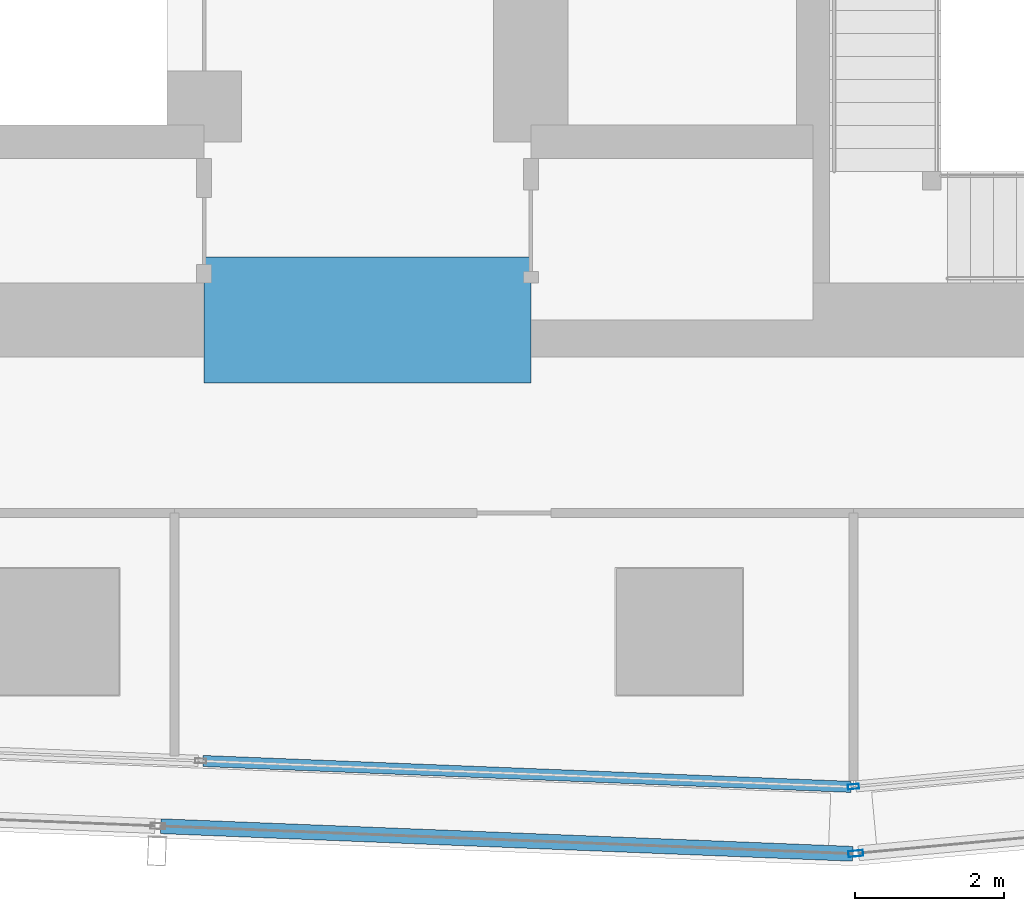
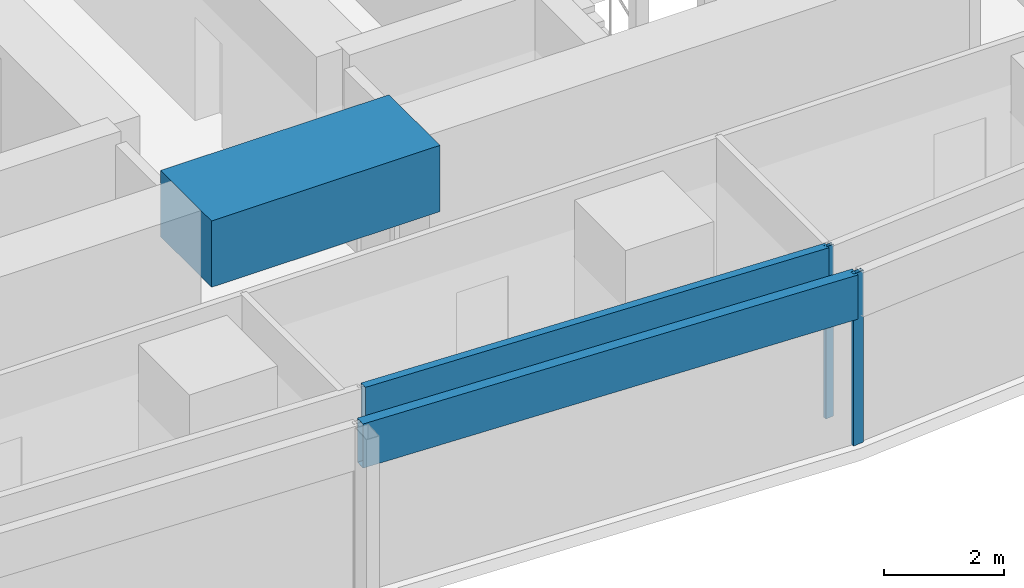
# One storey, part 10 of 34: 4 members, 1 beam, 4 elements without a shape of their own.
"""IFC4 building model written with IfcOpenShell, lengths in metres."""

import ifcopenshell
import ifcopenshell.guid

model = None  # the IFC model being written
_history = None  # IfcOwnerHistory: only IFC2X3 demands one
_inside = {}  # id of a spatial element -> (the spatial element, [elements in it])
_under = {}  # id of a project, library or spatial element -> (it, [spatial elements below it])
_declared = {}  # id of a project -> (the project, [libraries it declares])
_typed = {}  # id of a type object -> (the type object, [elements of that type])
_made_of = {}  # id of a material, layer set ... -> (it, [elements and type objects made of it])


def new_model(schema):
    """Start an empty IFC model of exactly this schema.

    Asked for "IFC4X3", IfcOpenShell would pick the latest addendum, in which some entities
    have other attributes; the version numbers below select the first issue.
    IFC2X3 requires an IfcOwnerHistory on every rooted entity: one is made here for all.
    """
    global model, _history
    if schema == "IFC4X3":
        model = ifcopenshell.file(schema_version=(4, 3, 0, 0))
    else:
        model = ifcopenshell.file(schema=schema)
    _inside.clear()
    _under.clear()
    _declared.clear()
    _typed.clear()
    _made_of.clear()
    _history = None
    if model.schema == "IFC2X3":
        org = make("IfcOrganization", Name="unknown")
        user = make(
            "IfcPersonAndOrganization",
            ThePerson=make("IfcPerson", FamilyName="unknown"),
            TheOrganization=org,
        )
        app = make(
            "IfcApplication",
            ApplicationDeveloper=org,
            Version="unknown",
            ApplicationFullName="unknown",
            ApplicationIdentifier="unknown",
        )
        _history = make(
            "IfcOwnerHistory",
            OwningUser=user,
            OwningApplication=app,
            ChangeAction="ADDED",
            CreationDate=0,
        )
    return model


def make(cls, **values):
    """One entity of the class cls with the attributes given. An attribute that is None is left unset."""
    return model.create_entity(
        cls, **{name: value for name, value in values.items() if value is not None}
    )


def rooted(cls, **values):
    """An entity with a GlobalId (a new one), such as an element, a storey or a relation."""
    return make(cls, GlobalId=ifcopenshell.guid.new(), OwnerHistory=_history, **values)


def si_unit(unit_type, name, prefix=None):
    """IfcSIUnit, for example si_unit("LENGTHUNIT", "METRE", prefix="MILLI")."""
    return make("IfcSIUnit", UnitType=unit_type, Prefix=prefix, Name=name)


def assignment(units):
    """IfcUnitAssignment: the units of a project."""
    return None if units is None else make("IfcUnitAssignment", Units=units)


def point(xyz):
    """IfcCartesianPoint."""
    return None if xyz is None else make("IfcCartesianPoint", Coordinates=xyz)


def direction(xyz):
    """IfcDirection."""
    return None if xyz is None else make("IfcDirection", DirectionRatios=xyz)


def frame(location, z_axis=None, x_axis=None):
    """IfcAxis2Placement3D, a coordinate frame: its origin and axes. An axis left out is left unset."""
    return make(
        "IfcAxis2Placement3D",
        Location=point(location),
        Axis=direction(z_axis),
        RefDirection=direction(x_axis),
    )


def frame_2d(location, x_axis=None):
    """IfcAxis2Placement2D, a coordinate frame in the plane: its origin and x axis."""
    return make(
        "IfcAxis2Placement2D", Location=point(location), RefDirection=direction(x_axis)
    )


def origin():
    """The frame at (0, 0, 0) with its axes left unset."""
    return frame((0.0, 0.0, 0.0))


def origin_2d():
    """The frame at (0, 0) in the plane with its x axis left unset."""
    return frame_2d((0.0, 0.0))


def place(relative_to, where):
    """IfcLocalPlacement: puts the frame where relative to a parent placement (None: the world)."""
    return make(
        "IfcLocalPlacement", PlacementRelTo=relative_to, RelativePlacement=where
    )


def context(
    kind, dimensions, precision=None, world=None, true_north=None, identifier=None
):
    """IfcGeometricRepresentationContext, for example the 3D "Model" context."""
    return make(
        "IfcGeometricRepresentationContext",
        ContextIdentifier=identifier,
        ContextType=kind,
        CoordinateSpaceDimension=dimensions,
        Precision=precision,
        WorldCoordinateSystem=world,
        TrueNorth=true_north,
    )


def subcontext(parent, identifier, kind, view, scale=None):
    """IfcGeometricRepresentationSubContext, for example "Body" below "Model"."""
    return make(
        "IfcGeometricRepresentationSubContext",
        ContextIdentifier=identifier,
        ContextType=kind,
        ParentContext=parent,
        TargetScale=scale,
        TargetView=view,
    )


def project(units=None, contexts=None):
    """IfcProject with its units and contexts."""
    return rooted(
        "IfcProject",
        Name="project",
        RepresentationContexts=contexts,
        UnitsInContext=assignment(units),
    )


def spatial(cls, under=None, at=None, **own):
    """A site, building, storey or space (cls), placed at a placement, below another one or the project."""
    s = rooted(cls, ObjectPlacement=at, **own)
    if under is not None:
        _under.setdefault(under.id(), (under, []))[1].append(s)
    return s


def profile(cls, at=None, kind="AREA", **sizes):
    """A parametric profile (cls). Its sizes go by their IFC names, for example OverallWidth=200.0."""
    return make(cls, ProfileType=kind, Position=at, **sizes)


def rectangle(**sizes):
    """IfcRectangleProfileDef."""
    return profile("IfcRectangleProfileDef", **sizes)


def hollow_rectangle(**sizes):
    """IfcRectangleHollowProfileDef."""
    return profile("IfcRectangleHollowProfileDef", **sizes)


def extrude(swept, where, along, depth):
    """IfcExtrudedAreaSolid: the profile swept, set in the frame where, extruded along a direction by depth."""
    return make(
        "IfcExtrudedAreaSolid",
        SweptArea=swept,
        Position=where,
        ExtrudedDirection=direction(along),
        Depth=depth,
    )


def shape(context_of_items, identifier, shape_type, items):
    """IfcShapeRepresentation: the items that make up one representation, for example the "Body"."""
    return make(
        "IfcShapeRepresentation",
        ContextOfItems=context_of_items,
        RepresentationIdentifier=identifier,
        RepresentationType=shape_type,
        Items=items,
    )


def material(Name=None, Category=None):
    """IfcMaterial."""
    return make("IfcMaterial", Name=Name, Category=Category)


def material_profile(
    of_material, cross_section, Name=None, Category=None, Priority=None
):
    """IfcMaterialProfile: a cross section and its material."""
    return make(
        "IfcMaterialProfile",
        Name=Name,
        Material=of_material,
        Profile=cross_section,
        Priority=Priority,
        Category=Category,
    )


def profile_set(profiles, Name=None, composite=None):
    """IfcMaterialProfileSet."""
    return make(
        "IfcMaterialProfileSet",
        Name=Name,
        MaterialProfiles=profiles,
        CompositeProfile=composite,
    )


def made_of(thing, what):
    """Note that an element or type object is made of a material, layer set ...; save() writes the relation."""
    if what is not None:
        _made_of.setdefault(what.id(), (what, []))[1].append(thing)
    return thing


def type_object(cls, material=None, **own):
    """A type object (cls), such as IfcWallType, which elements share."""
    return made_of(rooted(cls, **own), material)


def element(
    cls,
    number,
    at=None,
    inside=None,
    cuts=None,
    type_object=None,
    material=None,
    context=None,
    identifier="Body",
    shape_type=None,
    held_by="IfcProductDefinitionShape",
    body=None,
    shapes=None,
    **own,
):
    """One element of the class cls, such as IfcWall. Its Tag is "e" and its number.

    at: its placement. inside: the storey or other place that contains it. cuts: it is an
    opening in that element (IfcRelVoidsElement). A single representation is given by context,
    identifier, shape_type and body (its items); several are given by shapes. held_by: the class
    of the entity that holds the representations. save() writes the other relations.
    """
    e = rooted(cls, Tag="e%d" % number, ObjectPlacement=at, **own)
    if body is not None:
        shapes = [shape(context, identifier, shape_type, body)]
    if shapes is not None:
        e.Representation = make(held_by, Representations=shapes)
    if inside is not None:
        _inside.setdefault(inside.id(), (inside, []))[1].append(e)
    if cuts is not None:
        rooted(
            "IfcRelVoidsElement", RelatingBuildingElement=cuts, RelatedOpeningElement=e
        )
    if type_object is not None:
        _typed.setdefault(type_object.id(), (type_object, []))[1].append(e)
    return made_of(e, material)


def aggregate(whole, parts):
    """IfcRelAggregates: a whole, such as a stair, and the parts it consists of."""
    return rooted("IfcRelAggregates", RelatingObject=whole, RelatedObjects=parts)


def save(model, path):
    """Write the relations noted so far, then the file.

    IfcRelAggregates (storeys below a building ...), IfcRelContainedInSpatialStructure (elements
    in a storey), IfcRelDefinesByType, IfcRelAssociatesMaterial and IfcRelDeclares: one each for
    every whole, place, type object, material and project.
    """
    for whole, parts in _under.values():
        aggregate(whole, parts)
    for where, things in _inside.values():
        rooted(
            "IfcRelContainedInSpatialStructure",
            RelatedElements=things,
            RelatingStructure=where,
        )
    for kind, things in _typed.values():
        rooted("IfcRelDefinesByType", RelatedObjects=things, RelatingType=kind)
    for what, things in _made_of.values():
        rooted("IfcRelAssociatesMaterial", RelatedObjects=things, RelatingMaterial=what)
    for by, libraries in _declared.values():
        rooted("IfcRelDeclares", RelatingContext=by, RelatedDefinitions=libraries)
    model.write(path)


model = new_model("IFC4")

# Units and contexts
model_context = context("Model", 3, precision=1e-05, world=origin(), true_north=direction((0.0, 1.0)))
body_context = subcontext(model_context, "Body", "Model", "MODEL_VIEW")
ifc_project = project(units=[si_unit("LENGTHUNIT", "METRE"), si_unit("AREAUNIT", "SQUARE_METRE"), si_unit("VOLUMEUNIT", "CUBIC_METRE"), si_unit("PLANEANGLEUNIT", "RADIAN"), si_unit("MASSUNIT", "GRAM", prefix="KILO")], contexts=[model_context])

# Site, building, storey
site_placement = place(None, origin())
site = spatial("IfcSite", under=ifc_project, at=site_placement, CompositionType="ELEMENT")
building_placement = place(site_placement, origin())
building = spatial("IfcBuilding", under=site, at=building_placement, Name="Rekha Terrace Tower", CompositionType="ELEMENT")
storey_placement = place(building_placement, frame((0.0, 0.0, 176.449951171875)))
storey = spatial("IfcBuildingStorey", under=building, at=storey_placement, Name="L44", CompositionType="ELEMENT", Elevation=176.449951171875)

# Curtain wall, member
ifc_material_1 = material(Name="Aluminium framing", Category="aluminium")
curtain_wall_type_1 = type_object("IfcCurtainWallType", Name="CW1 double skin inner glazing", PredefinedType="USERDEFINED", material=ifc_material_1)
curtain_wall_1_placement = place(storey_placement, origin())
curtain_wall_1 = element("IfcCurtainWall", 1, at=curtain_wall_1_placement, inside=storey, type_object=curtain_wall_type_1, Name="CW1 double skin inner glazing", ObjectType="DOUBLE SKIN INNER GLAZING", PredefinedType="USERDEFINED")
ifc_material_2 = material(Name="Aluminium mullion section", Category="aluminium")
ifc_material_profile_1 = material_profile(ifc_material_2, hollow_rectangle(XDim=0.06494140625, YDim=0.14990234375, WallThickness=0.00390625, at=origin_2d()), Name="AL RHS 65x150")
ifc_profile_set_1 = profile_set([ifc_material_profile_1], Name="Aluminium mullion section")
member_type_1 = type_object("IfcMemberType", Name="CW1 mullion RHS 65 x 150", PredefinedType="MULLION", material=ifc_profile_set_1)
member_1_placement = place(storey_placement, frame((44.34423828125, 14.715087890625, 0.0), z_axis=(0.0, 0.0, 1.0), x_axis=(-0.092708869616, 0.995693258737, 0.0)))
member_1 = element("IfcMember", 2, at=member_1_placement, type_object=member_type_1, Name="CW1 mullion 1", PredefinedType="MULLION", context=body_context, shape_type="SweptSolid", body=[
    extrude(hollow_rectangle(XDim=0.06494140625, YDim=0.14990234375, WallThickness=0.00390625, at=origin_2d()), origin(), (0.0, 0.0, 1.0), 3.5),
])
aggregate(curtain_wall_1, [member_1])

curtain_wall_2_placement = place(storey_placement, origin())
curtain_wall_2 = element("IfcCurtainWall", 3, at=curtain_wall_2_placement, inside=storey, type_object=curtain_wall_type_1, Name="CW1 double skin inner glazing", ObjectType="DOUBLE SKIN INNER GLAZING", PredefinedType="USERDEFINED")
ifc_material_3 = material(Name="Insulated aluminium spandrel box", Category="aluminium")
ifc_material_profile_2 = material_profile(ifc_material_3, hollow_rectangle(XDim=0.14990234375, YDim=0.89990234375, WallThickness=0.0029296875, at=origin_2d()), Name="AL SPANDREL BOX 150x900")
ifc_profile_set_2 = profile_set([ifc_material_profile_2], Name="Insulated aluminium spandrel box")
member_type_2 = type_object("IfcMemberType", Name="CW1 spandrel transom 150 x 900", PredefinedType="USERDEFINED", material=ifc_profile_set_2)
member_2_placement = place(storey_placement, frame((35.584716796875, 15.060302734375, 3.050048828125), z_axis=(0.999204125954, -0.039888778821, 0.0), x_axis=(0.039888778821, 0.999204125954, 0.0)))
member_2 = element("IfcMember", 4, at=member_2_placement, type_object=member_type_2, Name="CW1 spandrel transom 4", ObjectType="TRANSOM", PredefinedType="USERDEFINED", context=body_context, shape_type="SweptSolid", body=[
    extrude(hollow_rectangle(XDim=0.14990234375, YDim=0.89990234375, WallThickness=0.0029296875, at=origin_2d()), origin(), (0.0, 0.0, 1.0), 8.73388671875),
])
aggregate(curtain_wall_2, [member_2])

curtain_wall_type_2 = type_object("IfcCurtainWallType", Name="CW2 double skin outer glazing", PredefinedType="USERDEFINED", material=ifc_material_1)
curtain_wall_3_placement = place(storey_placement, origin())
curtain_wall_3 = element("IfcCurtainWall", 5, at=curtain_wall_3_placement, inside=storey, type_object=curtain_wall_type_2, Name="CW2 double skin outer glazing", ObjectType="DOUBLE SKIN OUTER GLAZING", PredefinedType="USERDEFINED")
ifc_material_profile_3 = material_profile(ifc_material_2, hollow_rectangle(XDim=0.080078125, YDim=0.199951171875, WallThickness=0.00390625, at=origin_2d()), Name="AL RHS 80x200")
ifc_profile_set_3 = profile_set([ifc_material_profile_3], Name="Aluminium mullion section")
member_type_3 = type_object("IfcMemberType", Name="CW2 mullion RHS 80 x 200", PredefinedType="MULLION", material=ifc_profile_set_3)
member_3_placement = place(storey_placement, frame((44.37548828125, 13.81396484375, 0.0), z_axis=(0.0, 0.0, 1.0), x_axis=(-0.092708869512, 0.995693258747, 0.0)))
member_3 = element("IfcMember", 6, at=member_3_placement, type_object=member_type_3, Name="CW2 mullion 1", PredefinedType="MULLION", context=body_context, shape_type="SweptSolid", body=[
    extrude(hollow_rectangle(XDim=0.080078125, YDim=0.199951171875, WallThickness=0.00390625, at=origin_2d()), origin(), (0.0, 0.0, 1.0), 3.5),
])
aggregate(curtain_wall_3, [member_3])

curtain_wall_4_placement = place(storey_placement, origin())
curtain_wall_4 = element("IfcCurtainWall", 7, at=curtain_wall_4_placement, inside=storey, type_object=curtain_wall_type_2, Name="CW2 double skin outer glazing", ObjectType="DOUBLE SKIN OUTER GLAZING", PredefinedType="USERDEFINED")
ifc_material_profile_4 = material_profile(ifc_material_3, hollow_rectangle(XDim=0.199951171875, YDim=0.89990234375, WallThickness=0.0029296875, at=origin_2d()), Name="AL SPANDREL BOX 200x900")
ifc_profile_set_4 = profile_set([ifc_material_profile_4], Name="Insulated aluminium spandrel box")
member_type_4 = type_object("IfcMemberType", Name="CW2 spandrel transom 200 x 900", PredefinedType="USERDEFINED", material=ifc_profile_set_4)
member_4_placement = place(storey_placement, frame((35.01708984375, 14.18212890625, 3.050048828125), z_axis=(0.999204884837, -0.039869764458, 0.0), x_axis=(0.039869764458, 0.999204884837, 0.0)))
member_4 = element("IfcMember", 8, at=member_4_placement, type_object=member_type_4, Name="CW2 spandrel transom 4", ObjectType="TRANSOM", PredefinedType="USERDEFINED", context=body_context, shape_type="SweptSolid", body=[
    extrude(hollow_rectangle(XDim=0.199951171875, YDim=0.89990234375, WallThickness=0.0029296875, at=origin_2d()), origin(), (0.0, 0.0, 1.0), 9.325927734375),
])
aggregate(curtain_wall_4, [member_4])

# Beam
ifc_material_4 = material(Name="Concrete M60", Category="concrete")
ifc_material_profile_5 = material_profile(ifc_material_4, rectangle(XDim=1.699951171875, YDim=1.35009765625, at=origin_2d()), Name="RC 1700x1350")
ifc_profile_set_5 = profile_set([ifc_material_profile_5], Name="Concrete M60")
beam_type = type_object("IfcBeamType", Name="LB3A 1700x1350 diagonally reinforced coupling beam", PredefinedType="LINTEL", material=ifc_profile_set_5)
beam_placement = place(storey_placement, frame((35.60009765625, 21.0, 3.074951171875), z_axis=(1.0, 0.0, 0.0), x_axis=(0.0, 1.0, 0.0)))
element("IfcBeam", 9, at=beam_placement, inside=storey, type_object=beam_type, Name="Coupling beam LB3A S L44", PredefinedType="LINTEL", context=body_context, shape_type="SweptSolid", body=[
    extrude(rectangle(XDim=1.699951171875, YDim=1.35009765625, at=origin_2d()), origin(), (0.0, 0.0, 1.0), 4.39990234375),
])

save(model, "model.ifc")
